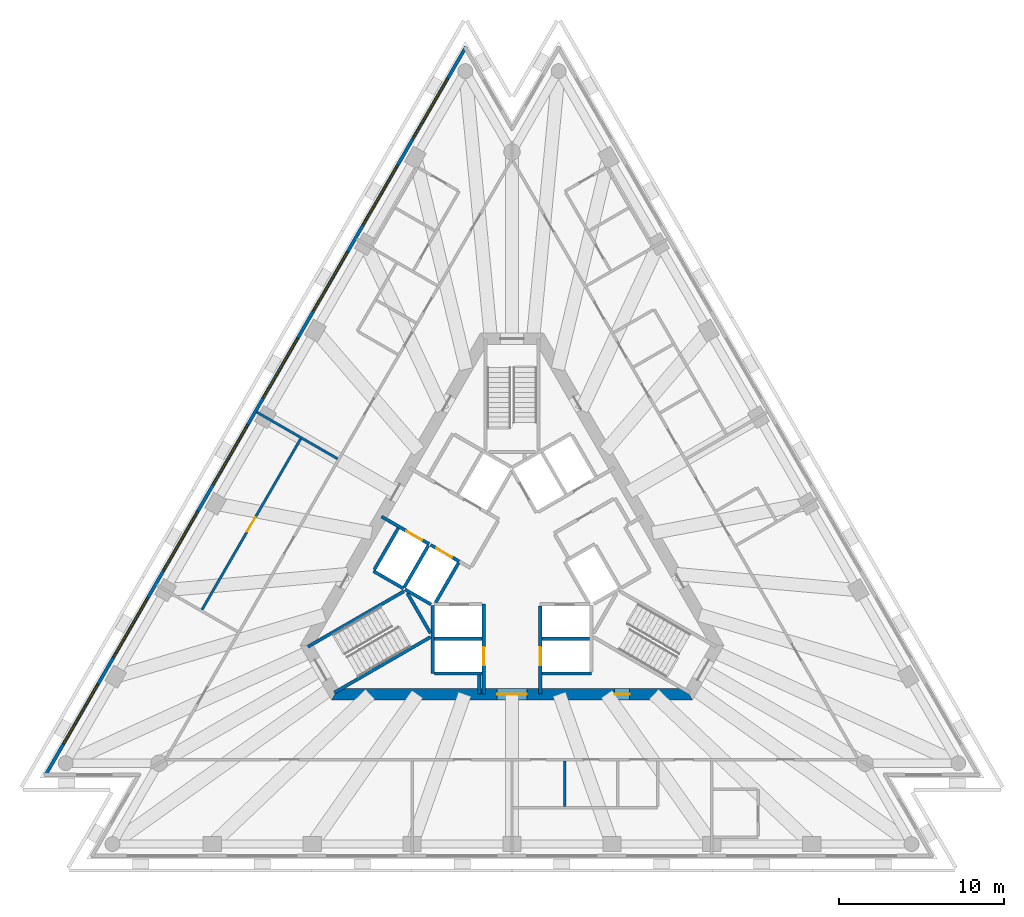
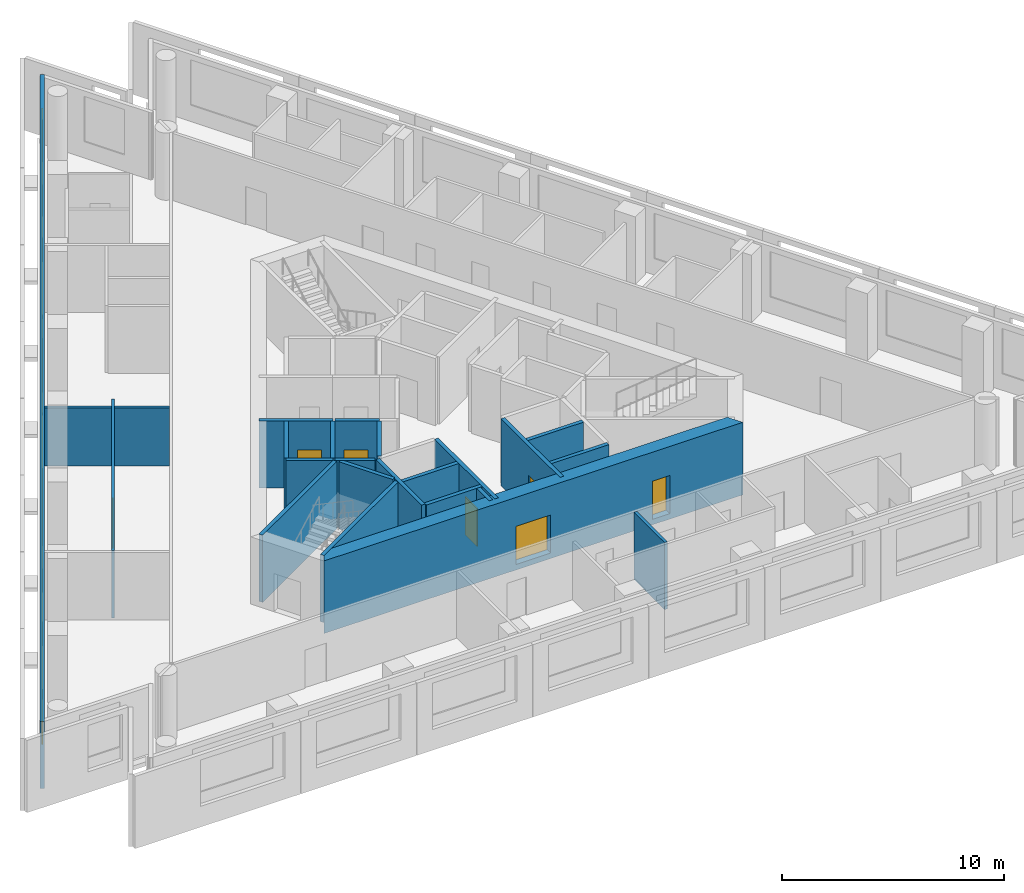
# One storey, part 3 of 9: 23 walls, 8 windows, 7 doors, 15 openings.
"""IFC4 building model written with IfcOpenShell, lengths in metres."""

from ifc_helpers import new_model, si_unit, direction, frame, frame_2d, origin, place, context, subcontext, project, spatial, polyline, rectangle, outline, extrude, material, layer, layer_set, layer_usage, type_object, element, fill, save


model = new_model("IFC4")

# Units and contexts
model_context = context("Model", 3, precision=1e-05, world=origin(), true_north=direction((0.0, 1.0)))
body_context = subcontext(model_context, "Body", "Model", "MODEL_VIEW")
ifc_project = project(units=[si_unit("LENGTHUNIT", "METRE"), si_unit("AREAUNIT", "SQUARE_METRE"), si_unit("VOLUMEUNIT", "CUBIC_METRE"), si_unit("PLANEANGLEUNIT", "RADIAN"), si_unit("MASSUNIT", "GRAM", prefix="KILO")], contexts=[model_context])

# Site, building, storey
site_placement = place(None, origin())
site = spatial("IfcSite", under=ifc_project, at=site_placement, CompositionType="ELEMENT")
building_placement = place(site_placement, origin())
building = spatial("IfcBuilding", under=site, at=building_placement, Name="Triada Interchange Tower", CompositionType="ELEMENT")
storey_placement = place(building_placement, frame((0.0, 0.0, 223.300048828125)))
storey = spatial("IfcBuildingStorey", under=building, at=storey_placement, Name="L52", CompositionType="ELEMENT", Elevation=223.300048828125)

# Walls
ifc_material_1 = material(Name="Concrete C30/37", Category="concrete")
ifc_layer_1 = layer(ifc_material_1, 0.199951171875)
ifc_layer_set_1 = layer_set([ifc_layer_1], Name="CORE WALL 200 EI 120")
wall_type_1 = type_object("IfcWallType", Name="CORE WALL 200 EI 120", PredefinedType="SOLIDWALL", material=ifc_layer_set_1)
wall_1_placement = place(storey_placement, frame((-8.3759765625, -0.70703125, 0.0), z_axis=(0.0, 0.0, 1.0), x_axis=(0.866067520717, -0.499927044236, 0.0)))
element("IfcWall", 1, at=wall_1_placement, inside=storey, type_object=wall_type_1, Name="Wall L50 41", PredefinedType="SOLIDWALL", context=body_context, shape_type="SweptSolid", body=[
    extrude(rectangle(XDim=2.100341796875, YDim=0.199951171875, at=frame_2d((1.05029296875, 0.0))), origin(), (0.0, 0.0, 1.0), 3.699951171875),
])
wall_2_placement = place(storey_placement, frame((-8.325927734375, -0.6201171875, 0.0), z_axis=(0.0, 0.0, 1.0), x_axis=(0.500023687443, 0.866011727401, 0.0)))
element("IfcWall", 2, at=wall_2_placement, inside=storey, type_object=wall_type_1, Name="Wall L50 42", PredefinedType="SOLIDWALL", context=body_context, shape_type="SweptSolid", body=[
    extrude(rectangle(XDim=2.899658203125, YDim=0.199951171875, at=frame_2d((1.44970703125, 0.0))), origin(), (0.0, 0.0, 1.0), 3.699951171875),
])
for number, where, z_axis, x_axis, name in (
    (3, (-4.699951171875, -4.800048828125, 0.0), (0.0, 0.0, 1.0), (1.0, 0.0, 0.0), "Wall L50 43"),
    (4, (1.800048828125, -4.800048828125, 0.0), (0.0, 0.0, 1.0), (1.0, 0.0, 0.0), "Wall L50 44"),
):
    element("IfcWall", number, at=place(storey_placement, frame(where, z_axis=z_axis, x_axis=x_axis)), inside=storey, type_object=wall_type_1, Name=name, PredefinedType="SOLIDWALL", context=body_context, shape_type="SweptSolid", body=[
        extrude(rectangle(XDim=2.89990234375, YDim=0.199951171875, at=frame_2d((1.449951171875, 0.0))), origin(), (0.0, 0.0, 1.0), 3.699951171875),
    ])
wall_3_placement = place(storey_placement, frame((-4.800048828125, -6.89990234375, 0.0), z_axis=(0.0, 0.0, 1.0), x_axis=(0.0, 1.0, 0.0)))
element("IfcWall", 5, at=wall_3_placement, inside=storey, type_object=wall_type_1, Name="Wall L50 45", PredefinedType="SOLIDWALL", context=body_context, shape_type="SweptSolid", body=[
    extrude(rectangle(XDim=4.130859375, YDim=0.199951171875, at=frame_2d((2.0654296875, 0.0))), origin(), (0.0, 0.0, 1.0), 3.699951171875),
])
wall_4_placement = place(storey_placement, frame((-4.699951171875, -6.89990234375, 0.0), z_axis=(0.0, 0.0, 1.0), x_axis=(1.0, 0.0, 0.0)))
element("IfcWall", 6, at=wall_4_placement, inside=storey, type_object=wall_type_1, Name="Wall L50 46", PredefinedType="SOLIDWALL", context=body_context, shape_type="SweptSolid", body=[
    extrude(rectangle(XDim=2.89990234375, YDim=0.199951171875, at=frame_2d((1.449951171875, 0.0))), origin(), (0.0, 0.0, 1.0), 3.699951171875),
])
wall_5_placement = place(storey_placement, frame((1.800048828125, -6.89990234375, 0.0), z_axis=(0.0, 0.0, 1.0), x_axis=(1.0, 0.0, 0.0)))
element("IfcWall", 7, at=wall_5_placement, inside=storey, type_object=wall_type_1, Name="Wall L50 47", PredefinedType="SOLIDWALL", context=body_context, shape_type="SweptSolid", body=[
    extrude(rectangle(XDim=3.0, YDim=0.199951171875, at=frame_2d((1.5, 0.0))), origin(), (0.0, 0.0, 1.0), 3.699951171875),
])

# Wall, opening, door
wall_6_placement = place(storey_placement, frame((-1.699951171875, -8.1298828125, 0.0), z_axis=(0.0, 0.0, 1.0), x_axis=(0.0, 1.0, 0.0)))
wall_6 = element("IfcWall", 8, at=wall_6_placement, inside=storey, type_object=wall_type_1, Name="Wall L50 48", PredefinedType="SOLIDWALL", context=body_context, shape_type="SweptSolid", body=[
    extrude(rectangle(XDim=5.427001953125, YDim=0.199951171875, at=frame_2d((2.71337890625, 0.0))), origin(), (0.0, 0.0, 1.0), 3.699951171875),
])
opening_1_placement = place(wall_6_placement, frame((1.72998046875, 0.0, 0.0)))
opening_1 = element("IfcOpeningElement", 9, at=opening_1_placement, cuts=wall_6, Name="Opening LD-HR4", PredefinedType="OPENING", context=body_context, shape_type="SweptSolid", body=[
    extrude(rectangle(XDim=1.10009765625, YDim=2.10009765625, at=frame_2d((0.550048828125, 1.050048828125))), frame((0.0, 0.10986328125, 0.0), z_axis=(0.0, -1.0, 0.0), x_axis=(1.0, 0.0, 0.0)), (0.0, 0.0, 1.0), 0.219970703125),
])
ifc_material_2 = material(Name="Steel S235 door leaf", Category="steel")
door_type_1 = type_object("IfcDoorType", Name="LIFT LANDING DOOR 1100 EI 120", OperationType="SLIDING_TO_LEFT", PredefinedType="DOOR", material=ifc_material_2)
door_1_placement = place(opening_1_placement, origin())
door_1 = element("IfcDoor", 10, at=door_1_placement, inside=storey, type_object=door_type_1, Name="HR4 landing door L52", OperationType="SLIDING_TO_LEFT", OverallHeight=2.10009765625, OverallWidth=1.10009765625, PredefinedType="DOOR", context=body_context, shape_type="SweptSolid", body=[
    extrude(rectangle(XDim=1.10009765625, YDim=2.10009765625, at=frame_2d((0.550048828125, 1.050048828125))), frame((0.0, 0.02490234375, 0.0), z_axis=(0.0, -1.0, 0.0), x_axis=(1.0, 0.0, 0.0)), (0.0, 0.0, 1.0), 0.050048828125),
])
fill(opening_1, door_1)

wall_7_placement = place(storey_placement, frame((1.699951171875, -8.1298828125, 0.0), z_axis=(0.0, 0.0, 1.0), x_axis=(0.0, 1.0, 0.0)))
wall_7 = element("IfcWall", 11, at=wall_7_placement, inside=storey, type_object=wall_type_1, Name="Wall L50 55", PredefinedType="SOLIDWALL", context=body_context, shape_type="SweptSolid", body=[
    extrude(rectangle(XDim=5.326904296875, YDim=0.199951171875, at=frame_2d((2.66357421875, 0.0))), origin(), (0.0, 0.0, 1.0), 3.699951171875),
])
opening_2_placement = place(wall_7_placement, frame((1.72998046875, 0.0, 0.0)))
opening_2 = element("IfcOpeningElement", 12, at=opening_2_placement, cuts=wall_7, Name="Opening LD-HR2", PredefinedType="OPENING", context=body_context, shape_type="SweptSolid", body=[
    extrude(rectangle(XDim=1.10009765625, YDim=2.10009765625, at=frame_2d((0.550048828125, 1.050048828125))), frame((0.0, 0.10986328125, 0.0), z_axis=(0.0, -1.0, 0.0), x_axis=(1.0, 0.0, 0.0)), (0.0, 0.0, 1.0), 0.219970703125),
])
door_2_placement = place(opening_2_placement, origin())
door_2 = element("IfcDoor", 13, at=door_2_placement, inside=storey, type_object=door_type_1, Name="HR2 landing door L52", OperationType="SLIDING_TO_LEFT", OverallHeight=2.10009765625, OverallWidth=1.10009765625, PredefinedType="DOOR", context=body_context, shape_type="SweptSolid", body=[
    extrude(rectangle(XDim=1.10009765625, YDim=2.10009765625, at=frame_2d((0.550048828125, 1.050048828125))), frame((0.0, 0.02490234375, 0.0), z_axis=(0.0, -1.0, 0.0), x_axis=(1.0, 0.0, 0.0)), (0.0, 0.0, 1.0), 0.050048828125),
])
fill(opening_2, door_2)

ifc_layer_2 = layer(ifc_material_1, 0.199951171875)
ifc_layer_set_2 = layer_set([ifc_layer_2], Name="CORE WALL 200 EI 180")
wall_type_2 = type_object("IfcWallType", Name="CORE WALL 200 EI 180", PredefinedType="SOLIDWALL", material=ifc_layer_set_2)
wall_8_placement = place(storey_placement, frame((-7.89111328125, 2.593017578125, 0.0), z_axis=(0.0, 0.0, 1.0), x_axis=(0.866070917804, -0.499921159118, 0.0)))
wall_8 = element("IfcWall", 14, at=wall_8_placement, inside=storey, type_object=wall_type_2, Name="Wall L50 66", PredefinedType="SOLIDWALL", context=body_context, shape_type="SweptSolid", body=[
    extrude(rectangle(XDim=3.33251953125, YDim=0.199951171875, at=frame_2d((1.666259765625, 0.0))), origin(), (0.0, 0.0, 1.0), 3.699951171875),
])
opening_3_placement = place(wall_8_placement, frame((1.72998046875, 0.0, 0.0)))
opening_3 = element("IfcOpeningElement", 15, at=opening_3_placement, cuts=wall_8, Name="Opening LD-SV1", PredefinedType="OPENING", context=body_context, shape_type="SweptSolid", body=[
    extrude(rectangle(XDim=1.10009765625, YDim=2.10009765625, at=frame_2d((0.550048828125, 1.050048828125))), frame((0.0, 0.10986328125, 0.0), z_axis=(0.0, -1.0, 0.0), x_axis=(1.0, 0.0, 0.0)), (0.0, 0.0, 1.0), 0.219970703125),
])
door_3_placement = place(opening_3_placement, origin())
door_3 = element("IfcDoor", 16, at=door_3_placement, inside=storey, type_object=door_type_1, Name="SV1 landing door L52", OperationType="SLIDING_TO_LEFT", OverallHeight=2.10009765625, OverallWidth=1.10009765625, PredefinedType="DOOR", context=body_context, shape_type="SweptSolid", body=[
    extrude(rectangle(XDim=1.10009765625, YDim=2.10009765625, at=frame_2d((0.550048828125, 1.050048828125))), frame((0.0, 0.02490234375, 0.0), z_axis=(0.0, -1.0, 0.0), x_axis=(1.0, 0.0, 0.0)), (0.0, 0.0, 1.0), 0.050048828125),
])
fill(opening_3, door_3)

# Walls
wall_9_placement = place(storey_placement, frame((-6.507080078125, -1.669921875, 0.0), z_axis=(0.0, 0.0, 1.0), x_axis=(0.50012328804, 0.865954211699, 0.0)))
element("IfcWall", 17, at=wall_9_placement, inside=storey, type_object=wall_type_2, Name="Shaft wall FF1 L50 73", PredefinedType="SOLIDWALL", context=body_context, shape_type="SweptSolid", body=[
    extrude(rectangle(XDim=2.899658203125, YDim=0.199951171875, at=frame_2d((1.44970703125, 0.0))), origin(), (0.0, 0.0, 1.0), 3.699951171875),
])
wall_10_placement = place(storey_placement, frame((-6.469970703125, -1.806884765625, 0.0), z_axis=(0.0, 0.0, 1.0), x_axis=(0.865883195159, -0.500246231712, 0.0)))
element("IfcWall", 18, at=wall_10_placement, inside=storey, type_object=wall_type_2, Name="Shaft wall FF1 L50 74", PredefinedType="SOLIDWALL", context=body_context, shape_type="SweptSolid", body=[
    extrude(rectangle(XDim=1.8154296875, YDim=0.199951171875, at=frame_2d((0.90771484375, 0.0))), origin(), (0.0, 0.0, 1.0), 3.699951171875),
])

# Wall, opening, door
wall_11_placement = place(storey_placement, frame((-4.922119140625, 0.87890625, 0.0), z_axis=(0.0, 0.0, 1.0), x_axis=(0.866073918653, -0.499915960366, 0.0)))
wall_11 = element("IfcWall", 19, at=wall_11_placement, inside=storey, type_object=wall_type_2, Name="Shaft wall FF1 L50 75", PredefinedType="SOLIDWALL", context=body_context, shape_type="SweptSolid", body=[
    extrude(rectangle(XDim=2.002197265625, YDim=0.199951171875, at=frame_2d((1.0009765625, 0.0))), origin(), (0.0, 0.0, 1.0), 3.699951171875),
])
opening_4_placement = place(wall_11_placement, frame((0.402099609375, 0.0, 0.0)))
opening_4 = element("IfcOpeningElement", 20, at=opening_4_placement, cuts=wall_11, Name="Opening LD-FF1", PredefinedType="OPENING", context=body_context, shape_type="SweptSolid", body=[
    extrude(rectangle(XDim=1.10009765625, YDim=2.10009765625, at=frame_2d((0.550048828125, 1.050048828125))), frame((0.0, 0.10986328125, 0.0), z_axis=(0.0, -1.0, 0.0), x_axis=(1.0, 0.0, 0.0)), (0.0, 0.0, 1.0), 0.219970703125),
])
door_4_placement = place(opening_4_placement, origin())
door_4 = element("IfcDoor", 21, at=door_4_placement, inside=storey, type_object=door_type_1, Name="FF1 landing door L52", OperationType="SLIDING_TO_LEFT", OverallHeight=2.10009765625, OverallWidth=1.10009765625, PredefinedType="DOOR", context=body_context, shape_type="SweptSolid", body=[
    extrude(rectangle(XDim=1.10009765625, YDim=2.10009765625, at=frame_2d((0.550048828125, 1.050048828125))), frame((0.0, 0.02490234375, 0.0), z_axis=(0.0, -1.0, 0.0), x_axis=(1.0, 0.0, 0.0)), (0.0, 0.0, 1.0), 0.050048828125),
])
fill(opening_4, door_4)

# Walls
wall_12_placement = place(storey_placement, frame((-4.618896484375, -2.60009765625, 0.0), z_axis=(0.0, 0.0, 1.0), x_axis=(0.50009492287, 0.865970593103, 0.0)))
element("IfcWall", 22, at=wall_12_placement, inside=storey, type_object=wall_type_2, Name="Shaft wall FF1 L50 76", PredefinedType="SOLIDWALL", context=body_context, shape_type="SweptSolid", body=[
    extrude(rectangle(XDim=2.76123046875, YDim=0.199951171875, at=frame_2d((1.380615234375, 0.0))), origin(), (0.0, 0.0, 1.0), 3.699951171875),
])
ifc_layer_3 = layer(ifc_material_1, 0.199951171875)
ifc_layer_set_3 = layer_set([ifc_layer_3], Name="CORE WALL 200 EI 90")
wall_type_3 = type_object("IfcWallType", Name="CORE WALL 200 EI 90", PredefinedType="SOLIDWALL", material=ifc_layer_set_3)
wall_13_placement = place(storey_placement, frame((-1.986083984375, -8.1298828125, 0.0), z_axis=(0.0, 0.0, 1.0), x_axis=(0.0, 1.0, 0.0)))
element("IfcWall", 23, at=wall_13_placement, inside=storey, type_object=wall_type_3, Name="Wall L50 81", PredefinedType="SOLIDWALL", context=body_context, shape_type="SweptSolid", body=[
    extrude(rectangle(XDim=1.1298828125, YDim=0.199951171875, at=frame_2d((0.56494140625, 0.0))), origin(), (0.0, 0.0, 1.0), 3.699951171875),
])
ifc_layer_4 = layer(ifc_material_1, 0.199951171875)
ifc_layer_set_4 = layer_set([ifc_layer_4], Name="CORE WALL 200 REI 240")
wall_type_4 = type_object("IfcWallType", Name="CORE WALL 200 REI 240", PredefinedType="SOLIDWALL", material=ifc_layer_set_4)
wall_14_placement = place(storey_placement, frame((-12.343994140625, -5.279052734375, 0.0), z_axis=(0.0, 0.0, 1.0), x_axis=(0.866046323291, 0.499963764601, 0.0)))
element("IfcWall", 24, at=wall_14_placement, inside=storey, type_object=wall_type_4, Name="Wall L50 86", PredefinedType="SOLIDWALL", context=body_context, shape_type="SweptSolid", body=[
    extrude(rectangle(XDim=6.71435546875, YDim=0.199951171875, at=frame_2d((3.357177734375, 0.0))), origin(), (0.0, 0.0, 1.0), 3.699951171875),
])
wall_15_placement = place(storey_placement, frame((-6.3291015625, -2.0380859375, 0.0), z_axis=(0.0, 0.0, 1.0), x_axis=(0.500200581029, -0.865909567298, 0.0)))
element("IfcWall", 25, at=wall_15_placement, inside=storey, type_object=wall_type_4, Name="Wall L50 87", PredefinedType="SOLIDWALL", context=body_context, shape_type="SweptSolid", body=[
    extrude(rectangle(XDim=2.799072265625, YDim=0.199951171875, at=frame_2d((1.3994140625, 0.0))), origin(), (0.0, 0.0, 1.0), 3.699951171875),
])
wall_16_placement = place(storey_placement, frame((-10.743896484375, -8.051025390625, 0.0), z_axis=(0.0, 0.0, 1.0), x_axis=(0.865983344943, 0.500072840975, 0.0)))
element("IfcWall", 26, at=wall_16_placement, inside=storey, type_object=wall_type_4, Name="Wall L50 88", PredefinedType="SOLIDWALL", context=body_context, shape_type="SweptSolid", body=[
    extrude(rectangle(XDim=6.71484375, YDim=0.199951171875, at=frame_2d((3.357421875, 0.0))), origin(), (0.0, 0.0, 1.0), 3.699951171875),
])

# Wall, openings, doors
ifc_material_3 = material(Name="Concrete C50/60", Category="concrete")
ifc_layer_5 = layer(ifc_material_3, 0.699951171875)
ifc_layer_set_5 = layer_set([ifc_layer_5], Name="Core wall C 700")
wall_type_5 = type_object("IfcWallType", Name="Core wall C 700", PredefinedType="SHEAR", material=ifc_layer_set_5)
wall_17_placement = place(storey_placement, frame((-10.7099609375, -8.14990234375, -0.300048828125), z_axis=(0.0, 0.0, 1.0), x_axis=(1.0, 0.0, 0.0)))
wall_17 = element("IfcWall", 27, at=wall_17_placement, inside=storey, type_object=wall_type_5, Name="Core wall WC04 L52", PredefinedType="SHEAR", context=body_context, shape_type="SweptSolid", body=[
    extrude(outline(polyline([(-0.201904296875, -0.35009765625), (1.781982421875, -0.35009765625), (3.76611328125, -0.35009765625), (5.75, -0.35009765625), (7.734130859375, -0.35009765625), (9.718017578125, -0.35009765625), (11.7021484375, -0.35009765625), (13.68603515625, -0.35009765625), (15.670166015625, -0.35009765625), (17.654052734375, -0.35009765625), (19.63818359375, -0.35009765625), (21.6220703125, -0.35009765625), (21.218017578125, 0.35009765625), (19.307373046875, 0.35009765625), (17.39697265625, 0.35009765625), (15.486328125, 0.35009765625), (13.57568359375, 0.35009765625), (11.665283203125, 0.35009765625), (9.754638671875, 0.35009765625), (7.84423828125, 0.35009765625), (5.93359375, 0.35009765625), (4.02294921875, 0.35009765625), (2.112548828125, 0.35009765625), (0.201904296875, 0.35009765625), (-0.201904296875, -0.35009765625)])), origin(), (0.0, 0.0, 1.0), 4.0),
])
opening_5_placement = place(wall_17_placement, frame((9.81005859375, 0.0, 0.300048828125)))
opening_5 = element("IfcOpeningElement", 28, at=opening_5_placement, cuts=wall_17, Name="Opening D50-38", PredefinedType="OPENING", context=body_context, shape_type="SweptSolid", body=[
    extrude(rectangle(XDim=1.800048828125, YDim=2.10009765625, at=frame_2d((0.89990234375, 1.050048828125))), frame((0.0, 0.360107421875, 0.0), z_axis=(0.0, -1.0, 0.0), x_axis=(1.0, 0.0, 0.0)), (0.0, 0.0, 1.0), 0.72021484375),
])
opening_6_placement = place(wall_17_placement, frame((16.9208984375, 0.0, 0.300048828125)))
opening_6 = element("IfcOpeningElement", 29, at=opening_6_placement, cuts=wall_17, Name="Opening D50-44", PredefinedType="OPENING", context=body_context, shape_type="SweptSolid", body=[
    extrude(rectangle(XDim=0.89990234375, YDim=2.10009765625, at=frame_2d((0.449951171875, 1.050048828125))), frame((0.0, 0.360107421875, 0.0), z_axis=(0.0, -1.0, 0.0), x_axis=(1.0, 0.0, 0.0)), (0.0, 0.0, 1.0), 0.72021484375),
])
door_type_2 = type_object("IfcDoorType", Name="LOBBY DOOR 1800 EI2 90-C5S200", OperationType="DOUBLE_DOOR_SINGLE_SWING", PredefinedType="DOOR", material=ifc_material_2)
door_5_placement = place(opening_5_placement, origin())
door_5 = element("IfcDoor", 30, at=door_5_placement, inside=storey, type_object=door_type_2, Name="Door D50-38 L52", OperationType="DOUBLE_DOOR_SINGLE_SWING", OverallHeight=2.10009765625, OverallWidth=1.800048828125, PredefinedType="DOOR", context=body_context, shape_type="SweptSolid", body=[
    extrude(rectangle(XDim=1.800048828125, YDim=2.10009765625, at=frame_2d((0.89990234375, 1.050048828125))), frame((0.0, 0.02490234375, 0.0), z_axis=(0.0, -1.0, 0.0), x_axis=(1.0, 0.0, 0.0)), (0.0, 0.0, 1.0), 0.050048828125),
])
fill(opening_5, door_5)
door_type_3 = type_object("IfcDoorType", Name="SERVICE DOOR 900 EI2 45-C5S200", OperationType="NOTDEFINED", PredefinedType="DOOR", material=ifc_material_2)
door_6_placement = place(opening_6_placement, origin())
door_6 = element("IfcDoor", 31, at=door_6_placement, inside=storey, type_object=door_type_3, Name="Door D50-44 L52", OperationType="SINGLE_SWING_RIGHT", OverallHeight=2.10009765625, OverallWidth=0.89990234375, PredefinedType="DOOR", context=body_context, shape_type="SweptSolid", body=[
    extrude(rectangle(XDim=0.89990234375, YDim=2.10009765625, at=frame_2d((0.449951171875, 1.050048828125))), frame((0.0, 0.02490234375, 0.0), z_axis=(0.0, -1.0, 0.0), x_axis=(1.0, 0.0, 0.0)), (0.0, 0.0, 1.0), 0.050048828125),
])
fill(opening_6, door_6)

# Wall, openings, windows
ifc_material_4 = material(Name="Cement board")
ifc_layer_6 = layer(ifc_material_4, 0.02001953125, Name="Cement board cladding")
ifc_material_5 = material(Name="Sheathing board")
ifc_layer_7 = layer(ifc_material_5, 0.014892578125, Name="Sheathing board")
ifc_material_6 = material(Name="Mineral wool")
ifc_layer_8 = layer(ifc_material_6, 0.14990234375, Name="Mineral wool between steel studs")
ifc_material_7 = material(Name="Gypsum board")
ifc_layer_9 = layer(ifc_material_7, 0.014892578125, Name="Plasterboard lining")
ifc_layer_set_6 = layer_set([ifc_layer_6, ifc_layer_7, ifc_layer_8, ifc_layer_9], Name="External wall 200")
ifc_layer_usage = layer_usage(ifc_layer_set_6, "AXIS2", "POSITIVE", -0.10009765625)
wall_type_6 = type_object("IfcWallType", Name="External wall 200", PredefinedType="ELEMENTEDWALL", material=ifc_layer_set_6)
wall_18_placement = place(storey_placement, frame((-2.778076171875, 31.008056640625, 0.0), z_axis=(0.0, 0.0, 1.0), x_axis=(-0.499999612413, -0.866025627558, 0.0)))
wall_18 = element("IfcWall", 32, at=wall_18_placement, inside=storey, type_object=wall_type_6, material=ifc_layer_usage, Name="External wall L52 NW", PredefinedType="ELEMENTEDWALL", context=body_context, shape_type="SweptSolid", body=[
    extrude(rectangle(XDim=50.90966796875, YDim=0.199951171875, at=frame_2d((25.454833984375, 0.0))), origin(), (0.0, 0.0, 1.0), 3.699951171875),
])
opening_7_placement = place(wall_18_placement, frame((2.222900390625, 0.0, 0.89990234375)))
opening_7 = element("IfcOpeningElement", 33, at=opening_7_placement, cuts=wall_18, Name="Opening WC01", PredefinedType="OPENING", context=body_context, shape_type="SweptSolid", body=[
    extrude(rectangle(XDim=4.199951171875, YDim=2.5, at=frame_2d((2.10009765625, 1.25))), frame((0.0, 0.10986328125, 0.0), z_axis=(0.0, -1.0, 0.0), x_axis=(1.0, 0.0, 0.0)), (0.0, 0.0, 1.0), 0.219970703125),
])
opening_8_placement = place(wall_18_placement, frame((8.262939453125, 0.0, 0.89990234375)))
opening_8 = element("IfcOpeningElement", 34, at=opening_8_placement, cuts=wall_18, Name="Opening WC02", PredefinedType="OPENING", context=body_context, shape_type="SweptSolid", body=[
    extrude(rectangle(XDim=4.199951171875, YDim=2.5, at=frame_2d((2.10009765625, 1.25))), frame((0.0, 0.10986328125, 0.0), z_axis=(0.0, -1.0, 0.0), x_axis=(1.0, 0.0, 0.0)), (0.0, 0.0, 1.0), 0.219970703125),
])
opening_9_placement = place(wall_18_placement, frame((14.303955078125, 0.0, 0.89990234375)))
opening_9 = element("IfcOpeningElement", 35, at=opening_9_placement, cuts=wall_18, Name="Opening WC03", PredefinedType="OPENING", context=body_context, shape_type="SweptSolid", body=[
    extrude(rectangle(XDim=4.199951171875, YDim=2.5, at=frame_2d((2.10009765625, 1.25))), frame((0.0, 0.10986328125, 0.0), z_axis=(0.0, -1.0, 0.0), x_axis=(1.0, 0.0, 0.0)), (0.0, 0.0, 1.0), 0.219970703125),
])
opening_10_placement = place(wall_18_placement, frame((20.343994140625, 0.0, 0.89990234375)))
opening_10 = element("IfcOpeningElement", 36, at=opening_10_placement, cuts=wall_18, Name="Opening WC04", PredefinedType="OPENING", context=body_context, shape_type="SweptSolid", body=[
    extrude(rectangle(XDim=4.199951171875, YDim=2.5, at=frame_2d((2.10009765625, 1.25))), frame((0.0, 0.10986328125, 0.0), z_axis=(0.0, -1.0, 0.0), x_axis=(1.0, 0.0, 0.0)), (0.0, 0.0, 1.0), 0.219970703125),
])
opening_11_placement = place(wall_18_placement, frame((26.385009765625, 0.0, 0.89990234375)))
opening_11 = element("IfcOpeningElement", 37, at=opening_11_placement, cuts=wall_18, Name="Opening WC05", PredefinedType="OPENING", context=body_context, shape_type="SweptSolid", body=[
    extrude(rectangle(XDim=4.199951171875, YDim=2.5, at=frame_2d((2.10009765625, 1.25))), frame((0.0, 0.10986328125, 0.0), z_axis=(0.0, -1.0, 0.0), x_axis=(1.0, 0.0, 0.0)), (0.0, 0.0, 1.0), 0.219970703125),
])
opening_12_placement = place(wall_18_placement, frame((32.425048828125, 0.0, 0.89990234375)))
opening_12 = element("IfcOpeningElement", 38, at=opening_12_placement, cuts=wall_18, Name="Opening WC06", PredefinedType="OPENING", context=body_context, shape_type="SweptSolid", body=[
    extrude(rectangle(XDim=4.199951171875, YDim=2.5, at=frame_2d((2.10009765625, 1.25))), frame((0.0, 0.10986328125, 0.0), z_axis=(0.0, -1.0, 0.0), x_axis=(1.0, 0.0, 0.0)), (0.0, 0.0, 1.0), 0.219970703125),
])
opening_13_placement = place(wall_18_placement, frame((38.466064453125, 0.0, 0.89990234375)))
opening_13 = element("IfcOpeningElement", 39, at=opening_13_placement, cuts=wall_18, Name="Opening WC07", PredefinedType="OPENING", context=body_context, shape_type="SweptSolid", body=[
    extrude(rectangle(XDim=4.199951171875, YDim=2.5, at=frame_2d((2.10009765625, 1.25))), frame((0.0, 0.10986328125, 0.0), z_axis=(0.0, -1.0, 0.0), x_axis=(1.0, 0.0, 0.0)), (0.0, 0.0, 1.0), 0.219970703125),
])
opening_14_placement = place(wall_18_placement, frame((44.506103515625, 0.0, 0.89990234375)))
opening_14 = element("IfcOpeningElement", 40, at=opening_14_placement, cuts=wall_18, Name="Opening WC08", PredefinedType="OPENING", context=body_context, shape_type="SweptSolid", body=[
    extrude(rectangle(XDim=4.199951171875, YDim=2.5, at=frame_2d((2.10009765625, 1.25))), frame((0.0, 0.10986328125, 0.0), z_axis=(0.0, -1.0, 0.0), x_axis=(1.0, 0.0, 0.0)), (0.0, 0.0, 1.0), 0.219970703125),
])
ifc_material_8 = material(Name="Double glazed aluminium window", Category="aluminium")
window_type = type_object("IfcWindowType", Name="Ribbon window C face", PartitioningType="SINGLE_PANEL", PredefinedType="WINDOW", material=ifc_material_8)
window_1_placement = place(opening_7_placement, origin())
window_1 = element("IfcWindow", 41, at=window_1_placement, inside=storey, type_object=window_type, Name="Window L52 NW 1", OverallHeight=2.5, OverallWidth=4.199951171875, PartitioningType="SINGLE_PANEL", PredefinedType="WINDOW", context=body_context, shape_type="SweptSolid", body=[
    extrude(rectangle(XDim=4.199951171875, YDim=2.5, at=frame_2d((2.10009765625, 1.25))), frame((0.0, 0.030029296875, 0.0), z_axis=(0.0, -1.0, 0.0), x_axis=(1.0, 0.0, 0.0)), (0.0, 0.0, 1.0), 0.06005859375),
])
fill(opening_7, window_1)
window_2_placement = place(opening_8_placement, origin())
window_2 = element("IfcWindow", 42, at=window_2_placement, inside=storey, type_object=window_type, Name="Window L52 NW 2", OverallHeight=2.5, OverallWidth=4.199951171875, PartitioningType="SINGLE_PANEL", PredefinedType="WINDOW", context=body_context, shape_type="SweptSolid", body=[
    extrude(rectangle(XDim=4.199951171875, YDim=2.5, at=frame_2d((2.10009765625, 1.25))), frame((0.0, 0.030029296875, 0.0), z_axis=(0.0, -1.0, 0.0), x_axis=(1.0, 0.0, 0.0)), (0.0, 0.0, 1.0), 0.06005859375),
])
fill(opening_8, window_2)
window_3_placement = place(opening_9_placement, origin())
window_3 = element("IfcWindow", 43, at=window_3_placement, inside=storey, type_object=window_type, Name="Window L52 NW 3", OverallHeight=2.5, OverallWidth=4.199951171875, PartitioningType="SINGLE_PANEL", PredefinedType="WINDOW", context=body_context, shape_type="SweptSolid", body=[
    extrude(rectangle(XDim=4.199951171875, YDim=2.5, at=frame_2d((2.10009765625, 1.25))), frame((0.0, 0.030029296875, 0.0), z_axis=(0.0, -1.0, 0.0), x_axis=(1.0, 0.0, 0.0)), (0.0, 0.0, 1.0), 0.06005859375),
])
fill(opening_9, window_3)
window_4_placement = place(opening_10_placement, origin())
window_4 = element("IfcWindow", 44, at=window_4_placement, inside=storey, type_object=window_type, Name="Window L52 NW 4", OverallHeight=2.5, OverallWidth=4.199951171875, PartitioningType="SINGLE_PANEL", PredefinedType="WINDOW", context=body_context, shape_type="SweptSolid", body=[
    extrude(rectangle(XDim=4.199951171875, YDim=2.5, at=frame_2d((2.10009765625, 1.25))), frame((0.0, 0.030029296875, 0.0), z_axis=(0.0, -1.0, 0.0), x_axis=(1.0, 0.0, 0.0)), (0.0, 0.0, 1.0), 0.06005859375),
])
fill(opening_10, window_4)
window_5_placement = place(opening_11_placement, origin())
window_5 = element("IfcWindow", 45, at=window_5_placement, inside=storey, type_object=window_type, Name="Window L52 NW 5", OverallHeight=2.5, OverallWidth=4.199951171875, PartitioningType="SINGLE_PANEL", PredefinedType="WINDOW", context=body_context, shape_type="SweptSolid", body=[
    extrude(rectangle(XDim=4.199951171875, YDim=2.5, at=frame_2d((2.10009765625, 1.25))), frame((0.0, 0.030029296875, 0.0), z_axis=(0.0, -1.0, 0.0), x_axis=(1.0, 0.0, 0.0)), (0.0, 0.0, 1.0), 0.06005859375),
])
fill(opening_11, window_5)
window_6_placement = place(opening_12_placement, origin())
window_6 = element("IfcWindow", 46, at=window_6_placement, inside=storey, type_object=window_type, Name="Window L52 NW 6", OverallHeight=2.5, OverallWidth=4.199951171875, PartitioningType="SINGLE_PANEL", PredefinedType="WINDOW", context=body_context, shape_type="SweptSolid", body=[
    extrude(rectangle(XDim=4.199951171875, YDim=2.5, at=frame_2d((2.10009765625, 1.25))), frame((0.0, 0.030029296875, 0.0), z_axis=(0.0, -1.0, 0.0), x_axis=(1.0, 0.0, 0.0)), (0.0, 0.0, 1.0), 0.06005859375),
])
fill(opening_12, window_6)
window_7_placement = place(opening_13_placement, origin())
window_7 = element("IfcWindow", 47, at=window_7_placement, inside=storey, type_object=window_type, Name="Window L52 NW 7", OverallHeight=2.5, OverallWidth=4.199951171875, PartitioningType="SINGLE_PANEL", PredefinedType="WINDOW", context=body_context, shape_type="SweptSolid", body=[
    extrude(rectangle(XDim=4.199951171875, YDim=2.5, at=frame_2d((2.10009765625, 1.25))), frame((0.0, 0.030029296875, 0.0), z_axis=(0.0, -1.0, 0.0), x_axis=(1.0, 0.0, 0.0)), (0.0, 0.0, 1.0), 0.06005859375),
])
fill(opening_13, window_7)
window_8_placement = place(opening_14_placement, origin())
window_8 = element("IfcWindow", 48, at=window_8_placement, inside=storey, type_object=window_type, Name="Window L52 NW 8", OverallHeight=2.5, OverallWidth=4.199951171875, PartitioningType="SINGLE_PANEL", PredefinedType="WINDOW", context=body_context, shape_type="SweptSolid", body=[
    extrude(rectangle(XDim=4.199951171875, YDim=2.5, at=frame_2d((2.10009765625, 1.25))), frame((0.0, 0.030029296875, 0.0), z_axis=(0.0, -1.0, 0.0), x_axis=(1.0, 0.0, 0.0)), (0.0, 0.0, 1.0), 0.06005859375),
])
fill(opening_14, window_8)

# Walls
ifc_material_9 = material(Name="Gypsum board partition")
ifc_layer_10 = layer(ifc_material_9, 0.14990234375)
ifc_layer_set_7 = layer_set([ifc_layer_10], Name="PARTITION 150 EI 180")
wall_type_7 = type_object("IfcWallType", Name="PARTITION 150 EI 180", PredefinedType="PARTITIONING", material=ifc_layer_set_7)
wall_19_placement = place(storey_placement, frame((-15.44091796875, 8.9150390625, 0.0), z_axis=(0.0, 0.0, 1.0), x_axis=(0.866034596441, -0.499984077514, 0.0)))
element("IfcWall", 49, at=wall_19_placement, inside=storey, type_object=wall_type_7, Name="Wall L50 6", PredefinedType="PARTITIONING", context=body_context, shape_type="SweptSolid", body=[
    extrude(rectangle(XDim=5.654541015625, YDim=0.14990234375, at=frame_2d((2.8271484375, 0.0))), origin(), (0.0, 0.0, 1.0), 3.199951171875),
])
wall_20_placement = place(storey_placement, frame((3.199951171875, -14.929931640625, 0.0), z_axis=(0.0, 0.0, 1.0), x_axis=(0.0, 1.0, 0.0)))
element("IfcWall", 50, at=wall_20_placement, inside=storey, type_object=wall_type_7, Name="Wall L50 17", PredefinedType="PARTITIONING", context=body_context, shape_type="SweptSolid", body=[
    extrude(rectangle(XDim=2.7548828125, YDim=0.14990234375, at=frame_2d((1.37744140625, 0.0))), origin(), (0.0, 0.0, 1.0), 3.699951171875),
])

# Wall, opening, door
ifc_layer_11 = layer(ifc_material_9, 0.14990234375)
ifc_layer_set_8 = layer_set([ifc_layer_11], Name="PARTITION 150 EI 90")
wall_type_8 = type_object("IfcWallType", Name="PARTITION 150 EI 90", PredefinedType="PARTITIONING", material=ifc_layer_set_8)
wall_21_placement = place(storey_placement, frame((-18.74609375, -3.0400390625, 0.0), z_axis=(0.0, 0.0, 1.0), x_axis=(0.499992887898, 0.866029509919, 0.0)))
wall_21 = element("IfcWall", 51, at=wall_21_placement, inside=storey, type_object=wall_type_8, Name="Wall L50 29", PredefinedType="PARTITIONING", context=body_context, shape_type="SweptSolid", body=[
    extrude(rectangle(XDim=11.930419921875, YDim=0.14990234375, at=frame_2d((5.96533203125, 0.0))), origin(), (0.0, 0.0, 1.0), 3.699951171875),
])
opening_15_placement = place(wall_21_placement, frame((5.4560546875, 0.0, 0.0)))
opening_15 = element("IfcOpeningElement", 52, at=opening_15_placement, cuts=wall_21, Name="Opening D50-36", PredefinedType="OPENING", context=body_context, shape_type="SweptSolid", body=[
    extrude(rectangle(XDim=1.0, YDim=2.10009765625, at=frame_2d((0.5, 1.050048828125))), frame((0.0, 0.0849609375, 0.0), z_axis=(0.0, -1.0, 0.0), x_axis=(1.0, 0.0, 0.0)), (0.0, 0.0, 1.0), 0.169921875),
])
door_type_4 = type_object("IfcDoorType", Name="ROOM DOOR 1000 EI2 45-C5S200", OperationType="NOTDEFINED", PredefinedType="DOOR", material=ifc_material_2)
door_7_placement = place(opening_15_placement, origin())
door_7 = element("IfcDoor", 53, at=door_7_placement, inside=storey, type_object=door_type_4, Name="Door D50-36 L52", OperationType="SINGLE_SWING_RIGHT", OverallHeight=2.10009765625, OverallWidth=1.0, PredefinedType="DOOR", context=body_context, shape_type="SweptSolid", body=[
    extrude(rectangle(XDim=1.0, YDim=2.10009765625, at=frame_2d((0.5, 1.050048828125))), frame((0.0, 0.02490234375, 0.0), z_axis=(0.0, -1.0, 0.0), x_axis=(1.0, 0.0, 0.0)), (0.0, 0.0, 1.0), 0.050048828125),
])
fill(opening_15, door_7)

save(model, "model.ifc")
